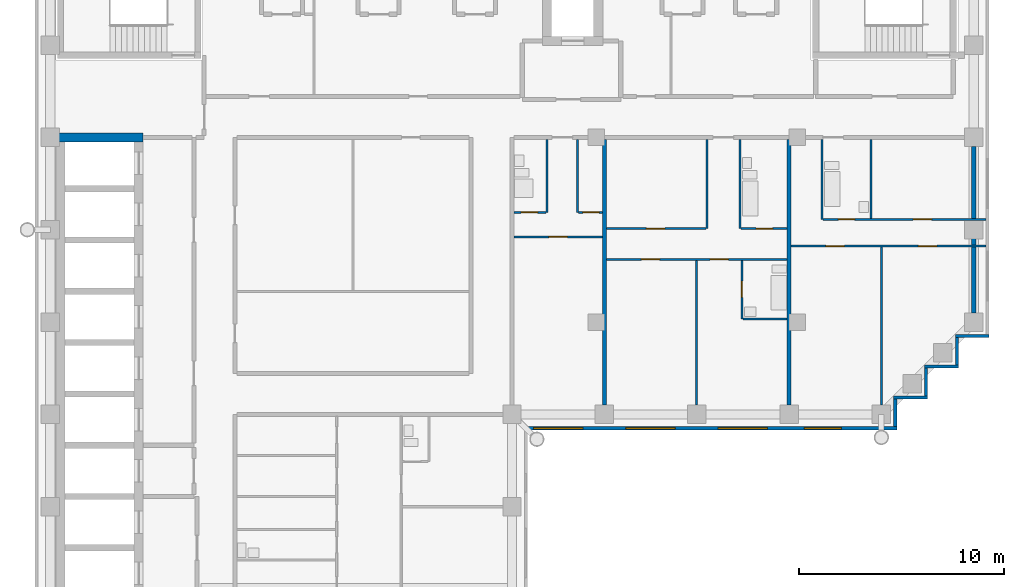
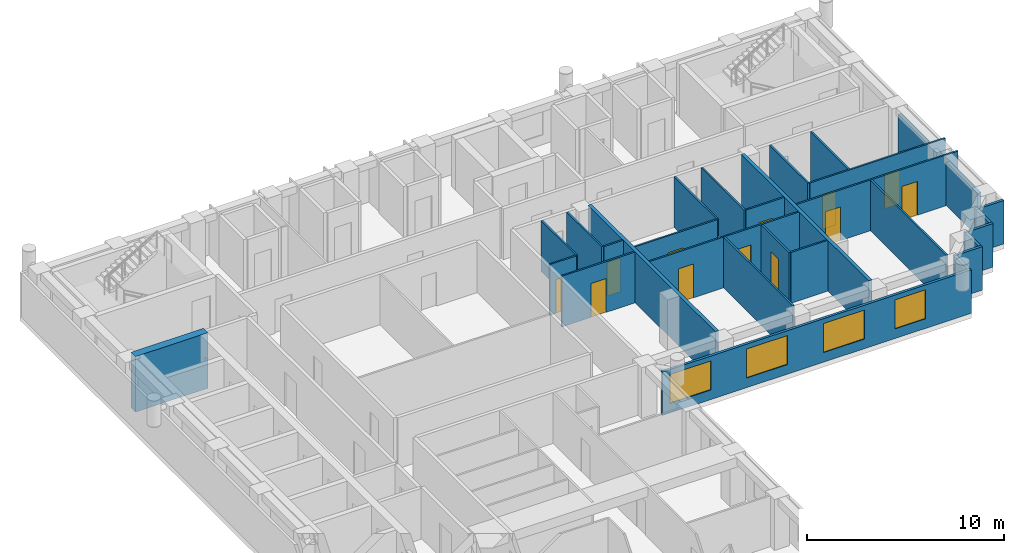
# One storey, part 4 of 9: 29 walls, 12 doors, 4 windows, 16 openings.
"""IFC4 building model written with IfcOpenShell, lengths in metres."""

from ifc_helpers import new_model, si_unit, direction, frame, frame_2d, origin, place, context, subcontext, project, spatial, rectangle, extrude, material, layer, layer_set, type_object, element, fill, save


model = new_model("IFC4")

# Units and contexts
model_context = context("Model", 3, precision=1e-05, world=origin(), true_north=direction((0.0, 1.0)))
body_context = subcontext(model_context, "Body", "Model", "MODEL_VIEW")
ifc_project = project(units=[si_unit("LENGTHUNIT", "METRE"), si_unit("AREAUNIT", "SQUARE_METRE"), si_unit("VOLUMEUNIT", "CUBIC_METRE"), si_unit("PLANEANGLEUNIT", "RADIAN"), si_unit("MASSUNIT", "GRAM", prefix="KILO")], contexts=[model_context])

# Site, building, storey
site_placement = place(None, origin())
site = spatial("IfcSite", under=ifc_project, at=site_placement, CompositionType="ELEMENT")
building_placement = place(site_placement, origin())
building = spatial("IfcBuilding", under=site, at=building_placement, Name="Firuza Court", CompositionType="ELEMENT")
storey_placement = place(building_placement, frame((0.0, 0.0, 254.60009765625)))
storey = spatial("IfcBuildingStorey", under=building, at=storey_placement, Name="L66", CompositionType="ELEMENT", Elevation=254.60009765625)

# Wall, opening, door
ifc_material_1 = material(Name="Moisture-resistant gypsum board partition")
ifc_layer_1 = layer(ifc_material_1, 0.10009765625)
ifc_layer_set_1 = layer_set([ifc_layer_1], Name="Moisture-resistant gypsum board partition")
wall_type_1 = type_object("IfcWallType", Name="Bathroom partition 100", PredefinedType="PLUMBINGWALL", material=ifc_layer_set_1)
wall_1_placement = place(storey_placement, frame((33.699951171875, 40.64990234375, 0.0), z_axis=(0.0, 0.0, 1.0), x_axis=(0.0, 1.0, 0.0)))
wall_1 = element("IfcWall", 1, at=wall_1_placement, inside=storey, type_object=wall_type_1, Name="Bathroom partition 100 L66", PredefinedType="PLUMBINGWALL", context=body_context, shape_type="SweptSolid", body=[
    extrude(rectangle(XDim=2.85009765625, YDim=0.10009765625, at=frame_2d((1.425048828125, 0.0))), origin(), (0.0, 0.0, 1.0), 3.14990234375),
])
opening_1_placement = place(wall_1_placement, frame((1.050048828125, 0.0, 0.0)))
opening_1 = element("IfcOpeningElement", 2, at=opening_1_placement, cuts=wall_1, Name="Opening D66027", PredefinedType="OPENING", context=body_context, shape_type="SweptSolid", body=[
    extrude(rectangle(XDim=0.800048828125, YDim=2.10009765625, at=frame_2d((0.39990234375, 1.050048828125))), frame((0.0, 0.06201171875, 0.0), z_axis=(0.0, -1.0, 0.0), x_axis=(1.0, 0.0, 0.0)), (0.0, 0.0, 1.0), 0.1240234375),
])
ifc_material_2 = material(Name="Timber door leaf in hardwood frame", Category="wood")
door_type_1 = type_object("IfcDoorType", Name="Bathroom door 800", OperationType="SINGLE_SWING_LEFT", PredefinedType="DOOR", material=ifc_material_2)
door_1_placement = place(opening_1_placement, frame((0.800048828125, 0.0, 0.0), z_axis=(0.0, 0.0, 1.0), x_axis=(-1.0, 0.0, 0.0)))
door_1 = element("IfcDoor", 3, at=door_1_placement, inside=storey, type_object=door_type_1, Name="En-suite door", OperationType="SINGLE_SWING_RIGHT", OverallHeight=2.10009765625, OverallWidth=0.800048828125, PredefinedType="DOOR", context=body_context, shape_type="SweptSolid", body=[
    extrude(rectangle(XDim=0.800048828125, YDim=2.10009765625, at=frame_2d((0.39990234375, 1.050048828125))), frame((0.0, 0.02490234375, 0.0), z_axis=(0.0, -1.0, 0.0), x_axis=(1.0, 0.0, 0.0)), (0.0, 0.0, 1.0), 0.050048828125),
])
fill(opening_1, door_1)

# Walls
wall_2_placement = place(storey_placement, frame((33.75, 40.64990234375, 0.0), z_axis=(0.0, 0.0, 1.0), x_axis=(1.0, 0.0, 0.0)))
element("IfcWall", 4, at=wall_2_placement, inside=storey, type_object=wall_type_1, Name="Bathroom partition 100 L66", PredefinedType="PLUMBINGWALL", context=body_context, shape_type="SweptSolid", body=[
    extrude(rectangle(XDim=2.14990234375, YDim=0.10009765625, at=frame_2d((1.074951171875, 0.0))), origin(), (0.0, 0.0, 1.0), 3.14990234375),
])
wall_3_placement = place(storey_placement, frame((33.60009765625, 45.050048828125, 0.0), z_axis=(0.0, 0.0, 1.0), x_axis=(0.0, 1.0, 0.0)))
element("IfcWall", 5, at=wall_3_placement, inside=storey, type_object=wall_type_1, Name="Bathroom partition 100 L66", PredefinedType="PLUMBINGWALL", context=body_context, shape_type="SweptSolid", body=[
    extrude(rectangle(XDim=4.349853515625, YDim=0.10009765625, at=frame_2d((2.1748046875, 0.0))), origin(), (0.0, 0.0, 1.0), 3.14990234375),
])
wall_4_placement = place(storey_placement, frame((37.60009765625, 45.5, 0.0), z_axis=(0.0, 0.0, 1.0), x_axis=(0.0, 1.0, 0.0)))
element("IfcWall", 6, at=wall_4_placement, inside=storey, type_object=wall_type_1, Name="Bathroom partition 100 L66", PredefinedType="PLUMBINGWALL", context=body_context, shape_type="SweptSolid", body=[
    extrude(rectangle(XDim=3.89990234375, YDim=0.10009765625, at=frame_2d((1.949951171875, 0.0))), origin(), (0.0, 0.0, 1.0), 3.14990234375),
])
wall_5_placement = place(storey_placement, frame((40.0, 45.550048828125, 0.0), z_axis=(0.0, 0.0, 1.0), x_axis=(0.0, 1.0, 0.0)))
element("IfcWall", 7, at=wall_5_placement, inside=storey, type_object=wall_type_1, Name="Bathroom partition 100 L66", PredefinedType="PLUMBINGWALL", context=body_context, shape_type="SweptSolid", body=[
    extrude(rectangle(XDim=3.849853515625, YDim=0.10009765625, at=frame_2d((1.9248046875, 0.0))), origin(), (0.0, 0.0, 1.0), 3.14990234375),
])
wall_6_placement = place(storey_placement, frame((24.199951171875, 45.85009765625, 0.0), z_axis=(0.0, 0.0, 1.0), x_axis=(0.0, 1.0, 0.0)))
element("IfcWall", 8, at=wall_6_placement, inside=storey, type_object=wall_type_1, Name="Bathroom partition 100 L66", PredefinedType="PLUMBINGWALL", context=body_context, shape_type="SweptSolid", body=[
    extrude(rectangle(XDim=3.5498046875, YDim=0.10009765625, at=frame_2d((1.77490234375, 0.0))), origin(), (0.0, 0.0, 1.0), 3.14990234375),
])
ifc_material_3 = material(Name="Concrete C50/60", Category="concrete")
ifc_layer_2 = layer(ifc_material_3, 0.449951171875)
ifc_layer_set_2 = layer_set([ifc_layer_2], Name="Concrete C50/60")
wall_type_2 = type_object("IfcWallType", Name="Core wall 450 C50/60", PredefinedType="SHEAR", material=ifc_layer_set_2)
wall_7_placement = place(storey_placement, frame((0.27490234375, 49.5, -0.300048828125), z_axis=(0.0, 0.0, 1.0), x_axis=(1.0, 0.0, 0.0)))
element("IfcWall", 9, at=wall_7_placement, inside=storey, type_object=wall_type_2, Name="Core wall lift shaft L66", PredefinedType="SHEAR", context=body_context, shape_type="SweptSolid", body=[
    extrude(rectangle(XDim=4.25, YDim=0.449951171875, at=frame_2d((2.125, 0.0))), origin(), (0.0, 0.0, 1.0), 3.449951171875),
])
ifc_material_4 = material(Name="Timber stud partition, plasterboard both sides", Category="wood")
ifc_layer_3 = layer(ifc_material_4, 0.10009765625)
ifc_layer_set_3 = layer_set([ifc_layer_3], Name="Timber stud partition, plasterboard both sides")
wall_type_3 = type_object("IfcWallType", Name="Partition wall 100", PredefinedType="PARTITIONING", material=ifc_layer_set_3)
wall_8_placement = place(storey_placement, frame((31.5, 36.449951171875, 0.0), z_axis=(0.0, 0.0, 1.0), x_axis=(0.0, 1.0, 0.0)))
element("IfcWall", 10, at=wall_8_placement, inside=storey, type_object=wall_type_3, Name="Partition wall 100 L66", PredefinedType="PARTITIONING", context=body_context, shape_type="SweptSolid", body=[
    extrude(rectangle(XDim=7.050048828125, YDim=0.10009765625, at=frame_2d((3.52490234375, 0.0))), origin(), (0.0, 0.0, 1.0), 3.14990234375),
])
wall_9_placement = place(storey_placement, frame((40.5, 36.449951171875, 0.0), z_axis=(0.0, 0.0, 1.0), x_axis=(0.0, 1.0, 0.0)))
element("IfcWall", 11, at=wall_9_placement, inside=storey, type_object=wall_type_3, Name="Partition wall 100 L66", PredefinedType="PARTITIONING", context=body_context, shape_type="SweptSolid", body=[
    extrude(rectangle(XDim=7.699951171875, YDim=0.10009765625, at=frame_2d((3.85009765625, 0.0))), origin(), (0.0, 0.0, 1.0), 3.14990234375),
])

# Wall, openings, doors
wall_10_placement = place(storey_placement, frame((27.10009765625, 43.550048828125, 0.0), z_axis=(0.0, 0.0, 1.0), x_axis=(1.0, 0.0, 0.0)))
wall_10 = element("IfcWall", 12, at=wall_10_placement, inside=storey, type_object=wall_type_3, Name="Partition wall 100 L66", PredefinedType="PARTITIONING", context=body_context, shape_type="SweptSolid", body=[
    extrude(rectangle(XDim=8.7998046875, YDim=0.10009765625, at=frame_2d((4.39990234375, 0.0))), origin(), (0.0, 0.0, 1.0), 3.14990234375),
])
opening_2_placement = place(wall_10_placement, frame((1.699951171875, 0.0, 0.0)))
opening_2 = element("IfcOpeningElement", 13, at=opening_2_placement, cuts=wall_10, Name="Opening D66028", PredefinedType="OPENING", context=body_context, shape_type="SweptSolid", body=[
    extrude(rectangle(XDim=0.89990234375, YDim=2.10009765625, at=frame_2d((0.449951171875, 1.050048828125))), frame((0.0, 0.06201171875, 0.0), z_axis=(0.0, -1.0, 0.0), x_axis=(1.0, 0.0, 0.0)), (0.0, 0.0, 1.0), 0.1240234375),
])
opening_3_placement = place(wall_10_placement, frame((5.050048828125, 0.0, 0.0)))
opening_3 = element("IfcOpeningElement", 14, at=opening_3_placement, cuts=wall_10, Name="Opening D66029", PredefinedType="OPENING", context=body_context, shape_type="SweptSolid", body=[
    extrude(rectangle(XDim=0.89990234375, YDim=2.10009765625, at=frame_2d((0.449951171875, 1.050048828125))), frame((0.0, 0.06201171875, 0.0), z_axis=(0.0, -1.0, 0.0), x_axis=(1.0, 0.0, 0.0)), (0.0, 0.0, 1.0), 0.1240234375),
])
ifc_material_5 = material(Name="Timber door leaf in hardwood frame", Category="wood")
door_type_2 = type_object("IfcDoorType", Name="Room door 900", OperationType="SINGLE_SWING_LEFT", PredefinedType="DOOR", material=ifc_material_5)
door_2_placement = place(opening_2_placement, frame((0.89990234375, 0.0, 0.0), z_axis=(0.0, 0.0, 1.0), x_axis=(-1.0, 0.0, 0.0)))
door_2 = element("IfcDoor", 15, at=door_2_placement, inside=storey, type_object=door_type_2, Name="Living room door", OperationType="SINGLE_SWING_RIGHT", OverallHeight=2.10009765625, OverallWidth=0.89990234375, PredefinedType="DOOR", context=body_context, shape_type="SweptSolid", body=[
    extrude(rectangle(XDim=0.89990234375, YDim=2.10009765625, at=frame_2d((0.449951171875, 1.050048828125))), frame((0.0, 0.02490234375, 0.0), z_axis=(0.0, -1.0, 0.0), x_axis=(1.0, 0.0, 0.0)), (0.0, 0.0, 1.0), 0.050048828125),
])
fill(opening_2, door_2)
door_3_placement = place(opening_3_placement, frame((0.89990234375, 0.0, 0.0), z_axis=(0.0, 0.0, 1.0), x_axis=(-1.0, 0.0, 0.0)))
door_3 = element("IfcDoor", 16, at=door_3_placement, inside=storey, type_object=door_type_2, Name="Bedroom door", OperationType="SINGLE_SWING_RIGHT", OverallHeight=2.10009765625, OverallWidth=0.89990234375, PredefinedType="DOOR", context=body_context, shape_type="SweptSolid", body=[
    extrude(rectangle(XDim=0.89990234375, YDim=2.10009765625, at=frame_2d((0.449951171875, 1.050048828125))), frame((0.0, 0.02490234375, 0.0), z_axis=(0.0, -1.0, 0.0), x_axis=(1.0, 0.0, 0.0)), (0.0, 0.0, 1.0), 0.050048828125),
])
fill(opening_3, door_3)

wall_11_placement = place(storey_placement, frame((36.10009765625, 44.199951171875, 0.0), z_axis=(0.0, 0.0, 1.0), x_axis=(1.0, 0.0, 0.0)))
wall_11 = element("IfcWall", 17, at=wall_11_placement, inside=storey, type_object=wall_type_3, Name="Partition wall 100 L66", PredefinedType="PARTITIONING", context=body_context, shape_type="SweptSolid", body=[
    extrude(rectangle(XDim=9.5, YDim=0.10009765625, at=frame_2d((4.75, 0.0))), origin(), (0.0, 0.0, 1.0), 3.14990234375),
])
opening_4_placement = place(wall_11_placement, frame((1.699951171875, 0.0, 0.0)))
opening_4 = element("IfcOpeningElement", 18, at=opening_4_placement, cuts=wall_11, Name="Opening D66030", PredefinedType="OPENING", context=body_context, shape_type="SweptSolid", body=[
    extrude(rectangle(XDim=0.89990234375, YDim=2.10009765625, at=frame_2d((0.449951171875, 1.050048828125))), frame((0.0, 0.06201171875, 0.0), z_axis=(0.0, -1.0, 0.0), x_axis=(1.0, 0.0, 0.0)), (0.0, 0.0, 1.0), 0.1240234375),
])
opening_5_placement = place(wall_11_placement, frame((6.199951171875, 0.0, 0.0)))
opening_5 = element("IfcOpeningElement", 19, at=opening_5_placement, cuts=wall_11, Name="Opening D66031", PredefinedType="OPENING", context=body_context, shape_type="SweptSolid", body=[
    extrude(rectangle(XDim=0.89990234375, YDim=2.10009765625, at=frame_2d((0.449951171875, 1.050048828125))), frame((0.0, 0.06201171875, 0.0), z_axis=(0.0, -1.0, 0.0), x_axis=(1.0, 0.0, 0.0)), (0.0, 0.0, 1.0), 0.1240234375),
])
door_4_placement = place(opening_4_placement, frame((0.89990234375, 0.0, 0.0), z_axis=(0.0, 0.0, 1.0), x_axis=(-1.0, 0.0, 0.0)))
door_4 = element("IfcDoor", 20, at=door_4_placement, inside=storey, type_object=door_type_2, Name="Bedroom door", OperationType="SINGLE_SWING_RIGHT", OverallHeight=2.10009765625, OverallWidth=0.89990234375, PredefinedType="DOOR", context=body_context, shape_type="SweptSolid", body=[
    extrude(rectangle(XDim=0.89990234375, YDim=2.10009765625, at=frame_2d((0.449951171875, 1.050048828125))), frame((0.0, 0.02490234375, 0.0), z_axis=(0.0, -1.0, 0.0), x_axis=(1.0, 0.0, 0.0)), (0.0, 0.0, 1.0), 0.050048828125),
])
fill(opening_4, door_4)
door_5_placement = place(opening_5_placement, frame((0.89990234375, 0.0, 0.0), z_axis=(0.0, 0.0, 1.0), x_axis=(-1.0, 0.0, 0.0)))
door_5 = element("IfcDoor", 21, at=door_5_placement, inside=storey, type_object=door_type_2, Name="Living room door", OperationType="SINGLE_SWING_RIGHT", OverallHeight=2.10009765625, OverallWidth=0.89990234375, PredefinedType="DOOR", context=body_context, shape_type="SweptSolid", body=[
    extrude(rectangle(XDim=0.89990234375, YDim=2.10009765625, at=frame_2d((0.449951171875, 1.050048828125))), frame((0.0, 0.02490234375, 0.0), z_axis=(0.0, -1.0, 0.0), x_axis=(1.0, 0.0, 0.0)), (0.0, 0.0, 1.0), 0.050048828125),
])
fill(opening_5, door_5)

# Wall, opening, door
wall_12_placement = place(storey_placement, frame((22.60009765625, 44.64990234375, 0.0), z_axis=(0.0, 0.0, 1.0), x_axis=(1.0, 0.0, 0.0)))
wall_12 = element("IfcWall", 22, at=wall_12_placement, inside=storey, type_object=wall_type_3, Name="Partition wall 100 L66", PredefinedType="PARTITIONING", context=body_context, shape_type="SweptSolid", body=[
    extrude(rectangle(XDim=4.2998046875, YDim=0.10009765625, at=frame_2d((2.14990234375, 0.0))), origin(), (0.0, 0.0, 1.0), 3.14990234375),
])
opening_6_placement = place(wall_12_placement, frame((1.699951171875, 0.0, 0.0)))
opening_6 = element("IfcOpeningElement", 23, at=opening_6_placement, cuts=wall_12, Name="Opening D66032", PredefinedType="OPENING", context=body_context, shape_type="SweptSolid", body=[
    extrude(rectangle(XDim=0.89990234375, YDim=2.10009765625, at=frame_2d((0.449951171875, 1.050048828125))), frame((0.0, 0.06201171875, 0.0), z_axis=(0.0, -1.0, 0.0), x_axis=(1.0, 0.0, 0.0)), (0.0, 0.0, 1.0), 0.1240234375),
])
door_6_placement = place(opening_6_placement, frame((0.89990234375, 0.0, 0.0), z_axis=(0.0, 0.0, 1.0), x_axis=(-1.0, 0.0, 0.0)))
door_6 = element("IfcDoor", 24, at=door_6_placement, inside=storey, type_object=door_type_2, Name="Studio room door", OperationType="SINGLE_SWING_RIGHT", OverallHeight=2.10009765625, OverallWidth=0.89990234375, PredefinedType="DOOR", context=body_context, shape_type="SweptSolid", body=[
    extrude(rectangle(XDim=0.89990234375, YDim=2.10009765625, at=frame_2d((0.449951171875, 1.050048828125))), frame((0.0, 0.02490234375, 0.0), z_axis=(0.0, -1.0, 0.0), x_axis=(1.0, 0.0, 0.0)), (0.0, 0.0, 1.0), 0.050048828125),
])
fill(opening_6, door_6)

wall_13_placement = place(storey_placement, frame((27.10009765625, 45.050048828125, 0.0), z_axis=(0.0, 0.0, 1.0), x_axis=(1.0, 0.0, 0.0)))
wall_13 = element("IfcWall", 25, at=wall_13_placement, inside=storey, type_object=wall_type_3, Name="Partition wall 100 L66", PredefinedType="PARTITIONING", context=body_context, shape_type="SweptSolid", body=[
    extrude(rectangle(XDim=4.849853515625, YDim=0.10009765625, at=frame_2d((2.4248046875, 0.0))), origin(), (0.0, 0.0, 1.0), 3.14990234375),
])
opening_7_placement = place(wall_13_placement, frame((1.949951171875, 0.0, 0.0)))
opening_7 = element("IfcOpeningElement", 26, at=opening_7_placement, cuts=wall_13, Name="Opening D66033", PredefinedType="OPENING", context=body_context, shape_type="SweptSolid", body=[
    extrude(rectangle(XDim=0.89990234375, YDim=2.10009765625, at=frame_2d((0.449951171875, 1.050048828125))), frame((0.0, 0.06201171875, 0.0), z_axis=(0.0, -1.0, 0.0), x_axis=(1.0, 0.0, 0.0)), (0.0, 0.0, 1.0), 0.1240234375),
])
door_7_placement = place(opening_7_placement, origin())
door_7 = element("IfcDoor", 27, at=door_7_placement, inside=storey, type_object=door_type_2, Name="Kitchen door", OperationType="SINGLE_SWING_LEFT", OverallHeight=2.10009765625, OverallWidth=0.89990234375, PredefinedType="DOOR", context=body_context, shape_type="SweptSolid", body=[
    extrude(rectangle(XDim=0.89990234375, YDim=2.10009765625, at=frame_2d((0.449951171875, 1.050048828125))), frame((0.0, 0.02490234375, 0.0), z_axis=(0.0, -1.0, 0.0), x_axis=(1.0, 0.0, 0.0)), (0.0, 0.0, 1.0), 0.050048828125),
])
fill(opening_7, door_7)

# Wall
wall_14_placement = place(storey_placement, frame((32.0, 45.050048828125, 0.0), z_axis=(0.0, 0.0, 1.0), x_axis=(0.0, 1.0, 0.0)))
element("IfcWall", 28, at=wall_14_placement, inside=storey, type_object=wall_type_3, Name="Partition wall 100 L66", PredefinedType="PARTITIONING", context=body_context, shape_type="SweptSolid", body=[
    extrude(rectangle(XDim=4.349853515625, YDim=0.10009765625, at=frame_2d((2.1748046875, 0.0))), origin(), (0.0, 0.0, 1.0), 3.14990234375),
])

# Wall, opening, door
wall_15_placement = place(storey_placement, frame((33.64990234375, 45.050048828125, 0.0), z_axis=(0.0, 0.0, 1.0), x_axis=(1.0, 0.0, 0.0)))
wall_15 = element("IfcWall", 29, at=wall_15_placement, inside=storey, type_object=wall_type_3, Name="Partition wall 100 L66", PredefinedType="PARTITIONING", context=body_context, shape_type="SweptSolid", body=[
    extrude(rectangle(XDim=2.25, YDim=0.10009765625, at=frame_2d((1.125, 0.0))), origin(), (0.0, 0.0, 1.0), 3.14990234375),
])
opening_8_placement = place(wall_15_placement, frame((0.75, 0.0, 0.0)))
opening_8 = element("IfcOpeningElement", 30, at=opening_8_placement, cuts=wall_15, Name="Opening D66034", PredefinedType="OPENING", context=body_context, shape_type="SweptSolid", body=[
    extrude(rectangle(XDim=0.800048828125, YDim=2.10009765625, at=frame_2d((0.39990234375, 1.050048828125))), frame((0.0, 0.06201171875, 0.0), z_axis=(0.0, -1.0, 0.0), x_axis=(1.0, 0.0, 0.0)), (0.0, 0.0, 1.0), 0.1240234375),
])
door_8_placement = place(opening_8_placement, origin())
door_8 = element("IfcDoor", 31, at=door_8_placement, inside=storey, type_object=door_type_1, Name="Bathroom door", OperationType="SINGLE_SWING_LEFT", OverallHeight=2.10009765625, OverallWidth=0.800048828125, PredefinedType="DOOR", context=body_context, shape_type="SweptSolid", body=[
    extrude(rectangle(XDim=0.800048828125, YDim=2.10009765625, at=frame_2d((0.39990234375, 1.050048828125))), frame((0.0, 0.02490234375, 0.0), z_axis=(0.0, -1.0, 0.0), x_axis=(1.0, 0.0, 0.0)), (0.0, 0.0, 1.0), 0.050048828125),
])
fill(opening_8, door_8)

# Wall, openings, doors
wall_16_placement = place(storey_placement, frame((37.64990234375, 45.5, 0.0), z_axis=(0.0, 0.0, 1.0), x_axis=(1.0, 0.0, 0.0)))
wall_16 = element("IfcWall", 32, at=wall_16_placement, inside=storey, type_object=wall_type_3, Name="Partition wall 100 L66", PredefinedType="PARTITIONING", context=body_context, shape_type="SweptSolid", body=[
    extrude(rectangle(XDim=7.9501953125, YDim=0.10009765625, at=frame_2d((3.97509765625, 0.0))), origin(), (0.0, 0.0, 1.0), 3.14990234375),
])
opening_9_placement = place(wall_16_placement, frame((0.75, 0.0, 0.0)))
opening_9 = element("IfcOpeningElement", 33, at=opening_9_placement, cuts=wall_16, Name="Opening D66035", PredefinedType="OPENING", context=body_context, shape_type="SweptSolid", body=[
    extrude(rectangle(XDim=0.800048828125, YDim=2.10009765625, at=frame_2d((0.39990234375, 1.050048828125))), frame((0.0, 0.06201171875, 0.0), z_axis=(0.0, -1.0, 0.0), x_axis=(1.0, 0.0, 0.0)), (0.0, 0.0, 1.0), 0.1240234375),
])
opening_10_placement = place(wall_16_placement, frame((4.39990234375, 0.0, 0.0)))
opening_10 = element("IfcOpeningElement", 34, at=opening_10_placement, cuts=wall_16, Name="Opening D66036", PredefinedType="OPENING", context=body_context, shape_type="SweptSolid", body=[
    extrude(rectangle(XDim=0.89990234375, YDim=2.10009765625, at=frame_2d((0.449951171875, 1.050048828125))), frame((0.0, 0.06201171875, 0.0), z_axis=(0.0, -1.0, 0.0), x_axis=(1.0, 0.0, 0.0)), (0.0, 0.0, 1.0), 0.1240234375),
])
door_9_placement = place(opening_9_placement, origin())
door_9 = element("IfcDoor", 35, at=door_9_placement, inside=storey, type_object=door_type_1, Name="Bathroom door", OperationType="SINGLE_SWING_LEFT", OverallHeight=2.10009765625, OverallWidth=0.800048828125, PredefinedType="DOOR", context=body_context, shape_type="SweptSolid", body=[
    extrude(rectangle(XDim=0.800048828125, YDim=2.10009765625, at=frame_2d((0.39990234375, 1.050048828125))), frame((0.0, 0.02490234375, 0.0), z_axis=(0.0, -1.0, 0.0), x_axis=(1.0, 0.0, 0.0)), (0.0, 0.0, 1.0), 0.050048828125),
])
fill(opening_9, door_9)
door_10_placement = place(opening_10_placement, origin())
door_10 = element("IfcDoor", 36, at=door_10_placement, inside=storey, type_object=door_type_2, Name="Kitchen door", OperationType="SINGLE_SWING_LEFT", OverallHeight=2.10009765625, OverallWidth=0.89990234375, PredefinedType="DOOR", context=body_context, shape_type="SweptSolid", body=[
    extrude(rectangle(XDim=0.89990234375, YDim=2.10009765625, at=frame_2d((0.449951171875, 1.050048828125))), frame((0.0, 0.02490234375, 0.0), z_axis=(0.0, -1.0, 0.0), x_axis=(1.0, 0.0, 0.0)), (0.0, 0.0, 1.0), 0.050048828125),
])
fill(opening_10, door_10)

# Wall, opening, door
wall_17_placement = place(storey_placement, frame((22.60009765625, 45.85009765625, 0.0), z_axis=(0.0, 0.0, 1.0), x_axis=(1.0, 0.0, 0.0)))
wall_17 = element("IfcWall", 37, at=wall_17_placement, inside=storey, type_object=wall_type_3, Name="Partition wall 100 L66", PredefinedType="PARTITIONING", context=body_context, shape_type="SweptSolid", body=[
    extrude(rectangle(XDim=1.5498046875, YDim=0.10009765625, at=frame_2d((0.77490234375, 0.0))), origin(), (0.0, 0.0, 1.0), 3.14990234375),
])
opening_11_placement = place(wall_17_placement, frame((0.35009765625, 0.0, 0.0)))
opening_11 = element("IfcOpeningElement", 38, at=opening_11_placement, cuts=wall_17, Name="Opening D66037", PredefinedType="OPENING", context=body_context, shape_type="SweptSolid", body=[
    extrude(rectangle(XDim=0.800048828125, YDim=2.10009765625, at=frame_2d((0.39990234375, 1.050048828125))), frame((0.0, 0.06201171875, 0.0), z_axis=(0.0, -1.0, 0.0), x_axis=(1.0, 0.0, 0.0)), (0.0, 0.0, 1.0), 0.1240234375),
])
door_11_placement = place(opening_11_placement, origin())
door_11 = element("IfcDoor", 39, at=door_11_placement, inside=storey, type_object=door_type_1, Name="Bathroom door", OperationType="SINGLE_SWING_LEFT", OverallHeight=2.10009765625, OverallWidth=0.800048828125, PredefinedType="DOOR", context=body_context, shape_type="SweptSolid", body=[
    extrude(rectangle(XDim=0.800048828125, YDim=2.10009765625, at=frame_2d((0.39990234375, 1.050048828125))), frame((0.0, 0.02490234375, 0.0), z_axis=(0.0, -1.0, 0.0), x_axis=(1.0, 0.0, 0.0)), (0.0, 0.0, 1.0), 0.050048828125),
])
fill(opening_11, door_11)

# Wall
wall_18_placement = place(storey_placement, frame((25.699951171875, 45.85009765625, 0.0), z_axis=(0.0, 0.0, 1.0), x_axis=(0.0, 1.0, 0.0)))
element("IfcWall", 40, at=wall_18_placement, inside=storey, type_object=wall_type_3, Name="Partition wall 100 L66", PredefinedType="PARTITIONING", context=body_context, shape_type="SweptSolid", body=[
    extrude(rectangle(XDim=3.5498046875, YDim=0.10009765625, at=frame_2d((1.77490234375, 0.0))), origin(), (0.0, 0.0, 1.0), 3.14990234375),
])

# Wall, opening, door
wall_19_placement = place(storey_placement, frame((25.75, 45.85009765625, 0.0), z_axis=(0.0, 0.0, 1.0), x_axis=(1.0, 0.0, 0.0)))
wall_19 = element("IfcWall", 41, at=wall_19_placement, inside=storey, type_object=wall_type_3, Name="Partition wall 100 L66", PredefinedType="PARTITIONING", context=body_context, shape_type="SweptSolid", body=[
    extrude(rectangle(XDim=1.14990234375, YDim=0.10009765625, at=frame_2d((0.574951171875, 0.0))), origin(), (0.0, 0.0, 1.0), 3.14990234375),
])
opening_12_placement = place(wall_19_placement, frame((0.199951171875, 0.0, 0.0)))
opening_12 = element("IfcOpeningElement", 42, at=opening_12_placement, cuts=wall_19, Name="Opening D66038", PredefinedType="OPENING", context=body_context, shape_type="SweptSolid", body=[
    extrude(rectangle(XDim=0.800048828125, YDim=2.10009765625, at=frame_2d((0.39990234375, 1.050048828125))), frame((0.0, 0.06201171875, 0.0), z_axis=(0.0, -1.0, 0.0), x_axis=(1.0, 0.0, 0.0)), (0.0, 0.0, 1.0), 0.1240234375),
])
ifc_material_6 = material(Name="Timber door leaf in hardwood frame", Category="wood")
door_type_3 = type_object("IfcDoorType", Name="Room door 800", OperationType="SINGLE_SWING_LEFT", PredefinedType="DOOR", material=ifc_material_6)
door_12_placement = place(opening_12_placement, origin())
door_12 = element("IfcDoor", 43, at=door_12_placement, inside=storey, type_object=door_type_3, Name="Kitchen door", OperationType="SINGLE_SWING_LEFT", OverallHeight=2.10009765625, OverallWidth=0.800048828125, PredefinedType="DOOR", context=body_context, shape_type="SweptSolid", body=[
    extrude(rectangle(XDim=0.800048828125, YDim=2.10009765625, at=frame_2d((0.39990234375, 1.050048828125))), frame((0.0, 0.02490234375, 0.0), z_axis=(0.0, -1.0, 0.0), x_axis=(1.0, 0.0, 0.0)), (0.0, 0.0, 1.0), 0.050048828125),
])
fill(opening_12, door_12)

# Walls
ifc_material_7 = material(Name="Blockwork, plastered both sides", Category="masonry")
ifc_layer_4 = layer(ifc_material_7, 0.199951171875)
ifc_layer_set_4 = layer_set([ifc_layer_4], Name="Blockwork, plastered both sides")
wall_type_4 = type_object("IfcWallType", Name="Party wall 200", PredefinedType="PARTITIONING", material=ifc_layer_set_4)
for number, where, z_axis, x_axis, name in (
    (44, (27.0, 36.449951171875, 0.0), (0.0, 0.0, 1.0), (0.0, 1.0, 0.0), "Party wall 200 L66"),
    (45, (36.0, 36.449951171875, 0.0), (0.0, 0.0, 1.0), (0.0, 1.0, 0.0), "Party wall 200 L66"),
):
    element("IfcWall", number, at=place(storey_placement, frame(where, z_axis=z_axis, x_axis=x_axis)), inside=storey, type_object=wall_type_4, Name=name, PredefinedType="PARTITIONING", context=body_context, shape_type="SweptSolid", body=[
        extrude(rectangle(XDim=12.949951171875, YDim=0.199951171875, at=frame_2d((6.47509765625, 0.0))), origin(), (0.0, 0.0, 1.0), 3.14990234375),
    ])
wall_20_placement = place(storey_placement, frame((45.0, 40.949951171875, 0.0), z_axis=(0.0, 0.0, 1.0), x_axis=(0.0, 1.0, 0.0)))
element("IfcWall", 46, at=wall_20_placement, inside=storey, type_object=wall_type_4, Name="Party wall 200 L66", PredefinedType="PARTITIONING", context=body_context, shape_type="SweptSolid", body=[
    extrude(rectangle(XDim=8.10009765625, YDim=0.199951171875, at=frame_2d((4.050048828125, 0.0))), origin(), (0.0, 0.0, 1.0), 2.699951171875),
])

# Wall, openings, windows
ifc_material_8 = material(Name="Ceramic tile", Category="ceramic")
ifc_layer_5 = layer(ifc_material_8, 0.02001953125)
ifc_material_9 = material(Name="Mineral wool insulation", Category="insulation")
ifc_layer_6 = layer(ifc_material_9, 0.050048828125)
ifc_material_10 = material(Name="Concrete C40/50 precast", Category="concrete")
ifc_layer_7 = layer(ifc_material_10, 0.080078125)
ifc_layer_set_5 = layer_set([ifc_layer_5, ifc_layer_6, ifc_layer_7], Name="Concrete C40/50 precast")
wall_type_5 = type_object("IfcWallType", Name="Precast cladding wall with turquoise TILE PANEL face 150", PredefinedType="STANDARD", material=ifc_layer_set_5)
wall_21_placement = place(storey_placement, frame((23.10009765625, 35.324951171875, 0.0), z_axis=(0.0, 0.0, 1.0), x_axis=(1.0, 0.0, 0.0)))
wall_21 = element("IfcWall", 47, at=wall_21_placement, inside=storey, type_object=wall_type_5, Name="Facade wall L66 S", PredefinedType="STANDARD", context=body_context, shape_type="SweptSolid", body=[
    extrude(rectangle(XDim=18.14990234375, YDim=0.14990234375, at=frame_2d((9.074951171875, 0.0))), origin(), (0.0, 0.0, 1.0), 2.699951171875),
])
opening_13_placement = place(wall_21_placement, frame((0.449951171875, 0.0, 0.60009765625)))
opening_13 = element("IfcOpeningElement", 48, at=opening_13_placement, cuts=wall_21, Name="Opening W1", PredefinedType="OPENING", context=body_context, shape_type="SweptSolid", body=[
    extrude(rectangle(XDim=2.39990234375, YDim=1.800048828125, at=frame_2d((1.199951171875, 0.89990234375))), frame((0.0, 0.0869140625, 0.0), z_axis=(0.0, -1.0, 0.0), x_axis=(1.0, 0.0, 0.0)), (0.0, 0.0, 1.0), 0.173828125),
])
opening_14_placement = place(wall_21_placement, frame((4.949951171875, 0.0, 0.60009765625)))
opening_14 = element("IfcOpeningElement", 49, at=opening_14_placement, cuts=wall_21, Name="Opening W1", PredefinedType="OPENING", context=body_context, shape_type="SweptSolid", body=[
    extrude(rectangle(XDim=2.39990234375, YDim=1.800048828125, at=frame_2d((1.199951171875, 0.89990234375))), frame((0.0, 0.0869140625, 0.0), z_axis=(0.0, -1.0, 0.0), x_axis=(1.0, 0.0, 0.0)), (0.0, 0.0, 1.0), 0.173828125),
])
opening_15_placement = place(wall_21_placement, frame((9.449951171875, 0.0, 0.60009765625)))
opening_15 = element("IfcOpeningElement", 50, at=opening_15_placement, cuts=wall_21, Name="Opening W1", PredefinedType="OPENING", context=body_context, shape_type="SweptSolid", body=[
    extrude(rectangle(XDim=2.39990234375, YDim=1.800048828125, at=frame_2d((1.199951171875, 0.89990234375))), frame((0.0, 0.0869140625, 0.0), z_axis=(0.0, -1.0, 0.0), x_axis=(1.0, 0.0, 0.0)), (0.0, 0.0, 1.0), 0.173828125),
])
opening_16_placement = place(wall_21_placement, frame((13.646484375, 0.0, 0.60009765625)))
opening_16 = element("IfcOpeningElement", 51, at=opening_16_placement, cuts=wall_21, Name="Opening W7", PredefinedType="OPENING", context=body_context, shape_type="SweptSolid", body=[
    extrude(rectangle(XDim=1.800048828125, YDim=1.800048828125, at=frame_2d((0.89990234375, 0.89990234375))), frame((0.0, 0.0869140625, 0.0), z_axis=(0.0, -1.0, 0.0), x_axis=(1.0, 0.0, 0.0)), (0.0, 0.0, 1.0), 0.173828125),
])
ifc_material_11 = material(Name="Aluminium frame, triple clear glazing", Category="aluminium")
window_type_1 = type_object("IfcWindowType", Name="Window W1 2400 x 1800", PartitioningType="SINGLE_PANEL", PredefinedType="WINDOW", material=ifc_material_11)
window_1_placement = place(opening_13_placement, origin())
window_1 = element("IfcWindow", 52, at=window_1_placement, inside=storey, type_object=window_type_1, Name="Window L66", OverallHeight=1.800048828125, OverallWidth=2.39990234375, PartitioningType="SINGLE_PANEL", PredefinedType="WINDOW", context=body_context, shape_type="SweptSolid", body=[
    extrude(rectangle(XDim=2.39990234375, YDim=1.800048828125, at=frame_2d((1.199951171875, 0.89990234375))), frame((0.0, 0.030029296875, 0.0), z_axis=(0.0, -1.0, 0.0), x_axis=(1.0, 0.0, 0.0)), (0.0, 0.0, 1.0), 0.06005859375),
])
fill(opening_13, window_1)
window_2_placement = place(opening_14_placement, origin())
window_2 = element("IfcWindow", 53, at=window_2_placement, inside=storey, type_object=window_type_1, Name="Window L66", OverallHeight=1.800048828125, OverallWidth=2.39990234375, PartitioningType="SINGLE_PANEL", PredefinedType="WINDOW", context=body_context, shape_type="SweptSolid", body=[
    extrude(rectangle(XDim=2.39990234375, YDim=1.800048828125, at=frame_2d((1.199951171875, 0.89990234375))), frame((0.0, 0.030029296875, 0.0), z_axis=(0.0, -1.0, 0.0), x_axis=(1.0, 0.0, 0.0)), (0.0, 0.0, 1.0), 0.06005859375),
])
fill(opening_14, window_2)
window_3_placement = place(opening_15_placement, origin())
window_3 = element("IfcWindow", 54, at=window_3_placement, inside=storey, type_object=window_type_1, Name="Window L66", OverallHeight=1.800048828125, OverallWidth=2.39990234375, PartitioningType="SINGLE_PANEL", PredefinedType="WINDOW", context=body_context, shape_type="SweptSolid", body=[
    extrude(rectangle(XDim=2.39990234375, YDim=1.800048828125, at=frame_2d((1.199951171875, 0.89990234375))), frame((0.0, 0.030029296875, 0.0), z_axis=(0.0, -1.0, 0.0), x_axis=(1.0, 0.0, 0.0)), (0.0, 0.0, 1.0), 0.06005859375),
])
fill(opening_15, window_3)
ifc_material_12 = material(Name="Aluminium frame, triple clear glazing", Category="aluminium")
window_type_2 = type_object("IfcWindowType", Name="Window W7 1800 x 1800", PartitioningType="SINGLE_PANEL", PredefinedType="WINDOW", material=ifc_material_12)
window_4_placement = place(opening_16_placement, origin())
window_4 = element("IfcWindow", 55, at=window_4_placement, inside=storey, type_object=window_type_2, Name="Window L66", OverallHeight=1.800048828125, OverallWidth=1.800048828125, PartitioningType="SINGLE_PANEL", PredefinedType="WINDOW", context=body_context, shape_type="SweptSolid", body=[
    extrude(rectangle(XDim=1.800048828125, YDim=1.800048828125, at=frame_2d((0.89990234375, 0.89990234375))), frame((0.0, 0.030029296875, 0.0), z_axis=(0.0, -1.0, 0.0), x_axis=(1.0, 0.0, 0.0)), (0.0, 0.0, 1.0), 0.06005859375),
])
fill(opening_16, window_4)

# Walls
wall_22_placement = place(storey_placement, frame((41.175048828125, 35.39990234375, 0.0), z_axis=(0.0, 0.0, 1.0), x_axis=(0.0, 1.0, 0.0)))
element("IfcWall", 56, at=wall_22_placement, inside=storey, type_object=wall_type_5, Name="Facade wall L66 E", PredefinedType="STANDARD", context=body_context, shape_type="SweptSolid", body=[
    extrude(rectangle(XDim=1.35009765625, YDim=0.14990234375, at=frame_2d((0.675048828125, 0.0))), origin(), (0.0, 0.0, 1.0), 2.699951171875),
])
wall_23_placement = place(storey_placement, frame((41.10009765625, 36.824951171875, 0.0), z_axis=(0.0, 0.0, 1.0), x_axis=(1.0, 0.0, 0.0)))
element("IfcWall", 57, at=wall_23_placement, inside=storey, type_object=wall_type_5, Name="Facade wall L66 S", PredefinedType="STANDARD", context=body_context, shape_type="SweptSolid", body=[
    extrude(rectangle(XDim=1.64990234375, YDim=0.14990234375, at=frame_2d((0.824951171875, 0.0))), origin(), (0.0, 0.0, 1.0), 2.699951171875),
])
wall_24_placement = place(storey_placement, frame((42.675048828125, 36.89990234375, 0.0), z_axis=(0.0, 0.0, 1.0), x_axis=(0.0, 1.0, 0.0)))
element("IfcWall", 58, at=wall_24_placement, inside=storey, type_object=wall_type_5, Name="Facade wall L66 E", PredefinedType="STANDARD", context=body_context, shape_type="SweptSolid", body=[
    extrude(rectangle(XDim=1.35009765625, YDim=0.14990234375, at=frame_2d((0.675048828125, 0.0))), origin(), (0.0, 0.0, 1.0), 2.699951171875),
])
wall_25_placement = place(storey_placement, frame((42.60009765625, 38.324951171875, 0.0), z_axis=(0.0, 0.0, 1.0), x_axis=(1.0, 0.0, 0.0)))
element("IfcWall", 59, at=wall_25_placement, inside=storey, type_object=wall_type_5, Name="Facade wall L66 S", PredefinedType="STANDARD", context=body_context, shape_type="SweptSolid", body=[
    extrude(rectangle(XDim=1.64990234375, YDim=0.14990234375, at=frame_2d((0.824951171875, 0.0))), origin(), (0.0, 0.0, 1.0), 2.699951171875),
])
wall_26_placement = place(storey_placement, frame((44.175048828125, 38.39990234375, 0.0), z_axis=(0.0, 0.0, 1.0), x_axis=(0.0, 1.0, 0.0)))
element("IfcWall", 60, at=wall_26_placement, inside=storey, type_object=wall_type_5, Name="Facade wall L66 E", PredefinedType="STANDARD", context=body_context, shape_type="SweptSolid", body=[
    extrude(rectangle(XDim=1.35009765625, YDim=0.14990234375, at=frame_2d((0.675048828125, 0.0))), origin(), (0.0, 0.0, 1.0), 2.699951171875),
])
wall_27_placement = place(storey_placement, frame((44.10009765625, 39.824951171875, 0.0), z_axis=(0.0, 0.0, 1.0), x_axis=(1.0, 0.0, 0.0)))
element("IfcWall", 61, at=wall_27_placement, inside=storey, type_object=wall_type_5, Name="Facade wall L66 S", PredefinedType="STANDARD", context=body_context, shape_type="SweptSolid", body=[
    extrude(rectangle(XDim=1.64990234375, YDim=0.14990234375, at=frame_2d((0.824951171875, 0.0))), origin(), (0.0, 0.0, 1.0), 2.699951171875),
])

save(model, "model.ifc")
